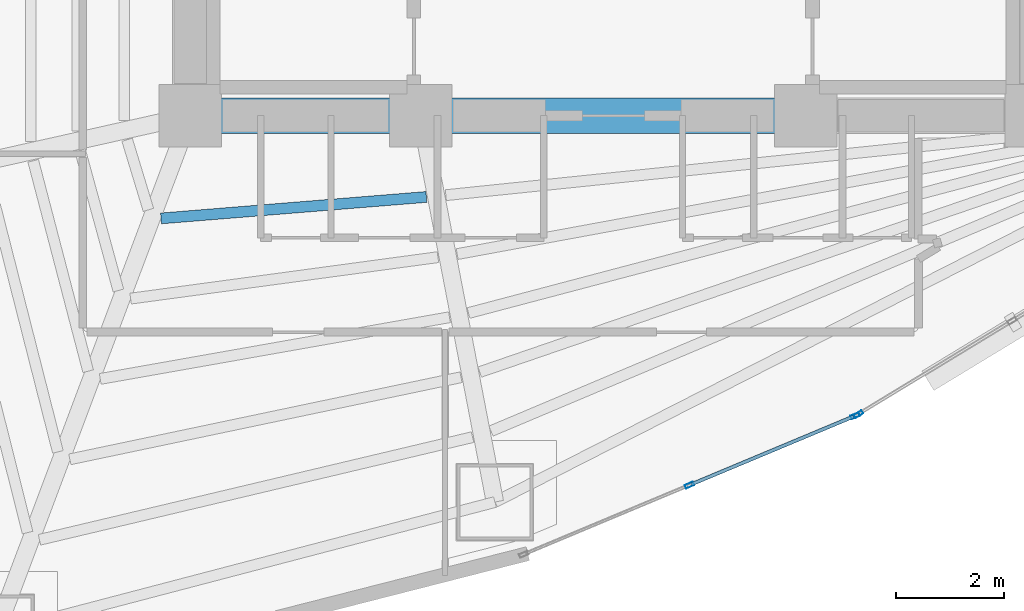
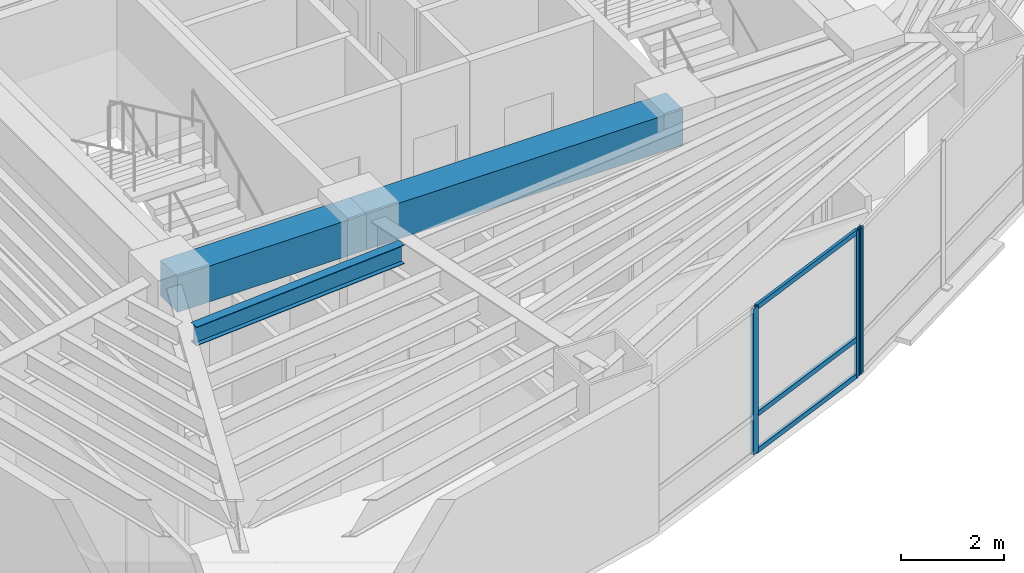
# One storey, part 4 of 17: 6 members, 3 beams, 2 elements without a shape of their own.
"""IFC4 building model written with IfcOpenShell, lengths in metres."""

from ifc_helpers import new_model, si_unit, direction, frame, origin, origin_2d, place, context, subcontext, project, spatial, rectangle, hollow_rectangle, i_section, extrude, material, layer, layer_set, material_profile, profile_set, type_object, element, aggregate, save


model = new_model("IFC4")

# Units and contexts
model_context = context("Model", 3, precision=1e-05, world=origin(), true_north=direction((0.0, 1.0)))
body_context = subcontext(model_context, "Body", "Model", "MODEL_VIEW")
ifc_project = project(units=[si_unit("LENGTHUNIT", "METRE"), si_unit("AREAUNIT", "SQUARE_METRE"), si_unit("VOLUMEUNIT", "CUBIC_METRE"), si_unit("PLANEANGLEUNIT", "RADIAN"), si_unit("MASSUNIT", "GRAM", prefix="KILO")], contexts=[model_context])

# Site, building, storey
site_placement = place(None, origin())
site = spatial("IfcSite", under=ifc_project, at=site_placement, CompositionType="ELEMENT")
building_placement = place(site_placement, origin())
building = spatial("IfcBuilding", under=site, at=building_placement, Name="Menara Vayukalpa", CompositionType="ELEMENT")
storey_placement = place(building_placement, frame((0.0, 0.0, 38.760009765625)))
storey = spatial("IfcBuildingStorey", under=building, at=storey_placement, Name="L08", CompositionType="ELEMENT", Elevation=38.760009765625)

# Beams
ifc_material_1 = material(Name="Concrete C60/75", Category="concrete")
ifc_material_profile_1 = material_profile(ifc_material_1, rectangle(XDim=0.64990234375, YDim=0.85009765625, at=origin_2d()), Name="RC 650x850")
ifc_profile_set_1 = profile_set([ifc_material_profile_1], Name="Concrete C60/75")
beam_type_1 = type_object("IfcBeamType", Name="BM-CB1", PredefinedType="BEAM", material=ifc_profile_set_1)
beam_1_placement = place(storey_placement, frame((17.800048828125, 17.199951171875, 3.044921875), z_axis=(1.0, 0.0, 0.0), x_axis=(0.0, 1.0, 0.0)))
element("IfcBeam", 1, at=beam_1_placement, inside=storey, type_object=beam_type_1, Name="L08 Core Tie Beam CBR1", PredefinedType="BEAM", context=body_context, shape_type="SweptSolid", body=[
    extrude(rectangle(XDim=0.64990234375, YDim=0.85009765625, at=origin_2d()), origin(), (0.0, 0.0, 1.0), 4.25),
])
beam_2_placement = place(storey_placement, frame((22.050048828125, 17.199951171875, 3.044921875), z_axis=(1.0, 0.0, 0.0), x_axis=(0.0, 1.0, 0.0)))
element("IfcBeam", 2, at=beam_2_placement, inside=storey, type_object=beam_type_1, Name="L08 Core Tie Beam CBR2", PredefinedType="BEAM", context=body_context, shape_type="SweptSolid", body=[
    extrude(rectangle(XDim=0.64990234375, YDim=0.85009765625, at=origin_2d()), origin(), (0.0, 0.0, 1.0), 7.099853515625),
])
ifc_material_2 = material(Name="Steel S355", Category="steel")
ifc_material_profile_2 = material_profile(ifc_material_2, i_section(OverallWidth=0.199951171875, OverallDepth=0.449951171875, WebThickness=0.009033203125, FlangeThickness=0.013916015625, at=origin_2d()), Name="WF 450x200x9x14")
ifc_profile_set_2 = profile_set([ifc_material_profile_2], Name="Steel S355")
beam_type_2 = type_object("IfcBeamType", Name="BM-SJ1", PredefinedType="JOIST", material=ifc_profile_set_2)
beam_3_placement = place(storey_placement, frame((17.262451171875, 15.306396484375, 3.244873046875), z_axis=(0.996745483939, 0.08061290373, 0.0), x_axis=(-0.08061290373, 0.996745483939, 0.0)))
element("IfcBeam", 3, at=beam_3_placement, inside=storey, type_object=beam_type_2, Name="L08 Secondary Floor Joist SJ07-1", PredefinedType="JOIST", context=body_context, shape_type="SweptSolid", body=[
    extrude(i_section(OverallWidth=0.199951171875, OverallDepth=0.449951171875, WebThickness=0.009033203125, FlangeThickness=0.013916015625, at=origin_2d()), origin(), (0.0, 0.0, 1.0), 4.9091796875),
])

# Curtain wall, members
ifc_material_3 = material(Name="Anodised Terracotta Aluminium Alloy 6063-T6", Category="masonry")
ifc_layer = layer(ifc_material_3, 0.1650390625)
ifc_layer_set = layer_set([ifc_layer], Name="Anodised Terracotta Aluminium Alloy 6063-T6")
curtain_wall_type = type_object("IfcCurtainWallType", Name="CW-CW2", PredefinedType="USERDEFINED", material=ifc_layer_set)
curtain_wall_1_placement = place(storey_placement, origin())
curtain_wall_1 = element("IfcCurtainWall", 4, at=curtain_wall_1_placement, inside=storey, type_object=curtain_wall_type, Name="L08 Low Rise Terracotta Ribbon Curtain Wall CW2 16", ObjectType="UNITISED", PredefinedType="USERDEFINED")
ifc_material_4 = material(Name="Anodised Terracotta Aluminium Alloy 6063-T6", Category="masonry")
ifc_material_profile_3 = material_profile(ifc_material_4, hollow_rectangle(XDim=0.070068359375, YDim=0.1650390625, WallThickness=0.00390625, at=origin_2d()), Name="ALU 70x165x4")
ifc_profile_set_3 = profile_set([ifc_material_profile_3], Name="Anodised Terracotta Aluminium Alloy 6063-T6")
member_type_1 = type_object("IfcMemberType", Name="CWM-CW2", PredefinedType="MULLION", material=ifc_profile_set_3)
member_1_placement = place(storey_placement, frame((27.0068359375, 10.388916015625, 0.0), z_axis=(0.0, 0.0, 1.0), x_axis=(-0.385895120445, 0.922542658101, 0.0)))
member_1 = element("IfcMember", 5, at=member_1_placement, type_object=member_type_1, Name="CW2 mullion 2", PredefinedType="MULLION", context=body_context, shape_type="SweptSolid", body=[
    extrude(hollow_rectangle(XDim=0.070068359375, YDim=0.1650390625, WallThickness=0.00390625, at=origin_2d()), origin(), (0.0, 0.0, 1.0), 3.469970703125),
])
member_2_placement = place(storey_placement, frame((30.062744140625, 11.6669921875, 0.0), z_axis=(0.0, 0.0, 1.0), x_axis=(-0.385895120445, 0.922542658101, 0.0)))
member_2 = element("IfcMember", 6, at=member_2_placement, type_object=member_type_1, Name="CW2 mullion 3", PredefinedType="MULLION", context=body_context, shape_type="SweptSolid", body=[
    extrude(hollow_rectangle(XDim=0.070068359375, YDim=0.1650390625, WallThickness=0.00390625, at=origin_2d()), origin(), (0.0, 0.0, 1.0), 3.469970703125),
])

# Curtain wall, member
curtain_wall_2_placement = place(storey_placement, origin())
curtain_wall_2 = element("IfcCurtainWall", 7, at=curtain_wall_2_placement, inside=storey, type_object=curtain_wall_type, Name="L08 Low Rise Terracotta Ribbon Curtain Wall CW2 17", ObjectType="UNITISED", PredefinedType="USERDEFINED")
member_3_placement = place(storey_placement, frame((30.125, 11.69873046875, 0.0), z_axis=(0.0, 0.0, 1.0), x_axis=(-0.519181964377, 0.854663727945, 0.0)))
member_3 = element("IfcMember", 8, at=member_3_placement, type_object=member_type_1, Name="CW2 mullion 1", PredefinedType="MULLION", context=body_context, shape_type="SweptSolid", body=[
    extrude(hollow_rectangle(XDim=0.070068359375, YDim=0.1650390625, WallThickness=0.00390625, at=origin_2d()), origin(), (0.0, 0.0, 1.0), 3.469970703125),
])
aggregate(curtain_wall_2, [member_3])

# Member
ifc_material_5 = material(Name="Anodised Terracotta Aluminium Alloy 6063-T6", Category="masonry")
ifc_material_profile_4 = material_profile(ifc_material_5, hollow_rectangle(XDim=0.06494140625, YDim=0.1201171875, WallThickness=0.00341796875, at=origin_2d()), Name="ALU 65x120x3.5")
ifc_profile_set_4 = profile_set([ifc_material_profile_4], Name="Anodised Terracotta Aluminium Alloy 6063-T6")
member_type_2 = type_object("IfcMemberType", Name="CWT-CW2", PredefinedType="USERDEFINED", material=ifc_profile_set_4)
member_4_placement = place(storey_placement, frame((27.0390625, 10.40234375, 0.032470703125), z_axis=(0.922552588381, 0.385871379699, 0.0), x_axis=(-0.385871379699, 0.922552588381, 0.0)))
member_4 = element("IfcMember", 9, at=member_4_placement, type_object=member_type_2, Name="CW2 transom 2.1", ObjectType="TRANSOM", PredefinedType="USERDEFINED", context=body_context, shape_type="SweptSolid", body=[
    extrude(hollow_rectangle(XDim=0.06494140625, YDim=0.1201171875, WallThickness=0.00341796875, at=origin_2d()), origin(), (0.0, 0.0, 1.0), 3.24267578125),
])

member_5_placement = place(storey_placement, frame((27.0390625, 10.40234375, 0.89990234375), z_axis=(0.922552588381, 0.385871379699, 0.0), x_axis=(-0.385871379699, 0.922552588381, 0.0)))
member_5 = element("IfcMember", 10, at=member_5_placement, type_object=member_type_2, Name="CW2 transom 2.2", ObjectType="TRANSOM", PredefinedType="USERDEFINED", context=body_context, shape_type="SweptSolid", body=[
    extrude(hollow_rectangle(XDim=0.06494140625, YDim=0.1201171875, WallThickness=0.00341796875, at=origin_2d()), origin(), (0.0, 0.0, 1.0), 3.24267578125),
])

member_6_placement = place(storey_placement, frame((27.0390625, 10.40234375, 3.4375), z_axis=(0.922552588381, 0.385871379699, 0.0), x_axis=(-0.385871379699, 0.922552588381, 0.0)))
member_6 = element("IfcMember", 11, at=member_6_placement, type_object=member_type_2, Name="CW2 transom 2.3", ObjectType="TRANSOM", PredefinedType="USERDEFINED", context=body_context, shape_type="SweptSolid", body=[
    extrude(hollow_rectangle(XDim=0.06494140625, YDim=0.1201171875, WallThickness=0.00341796875, at=origin_2d()), origin(), (0.0, 0.0, 1.0), 3.24267578125),
])

aggregate(curtain_wall_1, [member_1, member_2, member_4, member_5, member_6])

save(model, "model.ifc")
